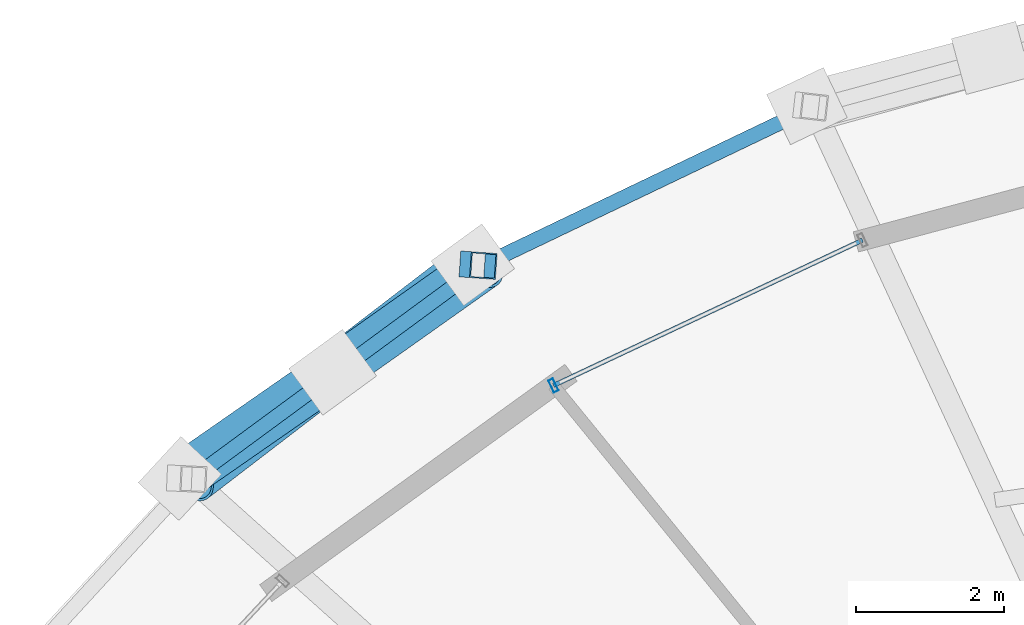
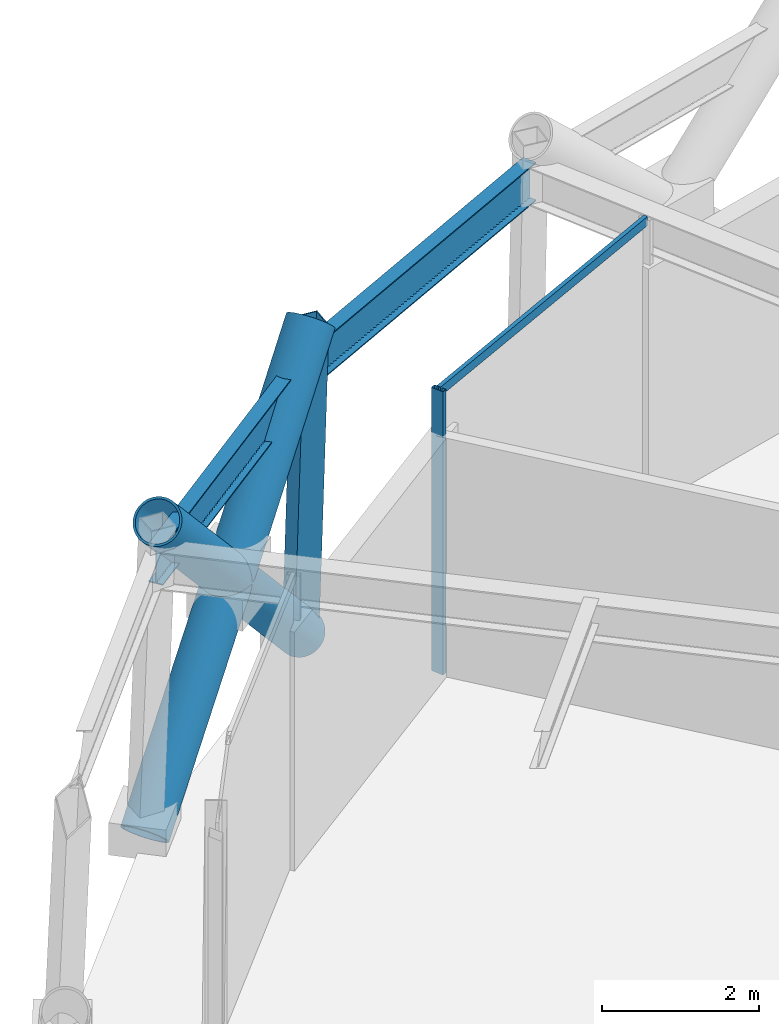
# One storey, part 17 of 29: 6 members, 2 beams, 1 element without a shape of its own.
"""IFC4 building model written with IfcOpenShell, lengths in metres."""

from ifc_helpers import new_model, si_unit, direction, frame, origin, origin_2d, place, context, subcontext, project, spatial, hollow_rectangle, hollow_circle, i_section, extrude, material, layer, layer_set, material_profile, profile_set, type_object, element, aggregate, save


model = new_model("IFC4")

# Units and contexts
model_context = context("Model", 3, precision=1e-05, world=origin(), true_north=direction((0.0, 1.0)))
body_context = subcontext(model_context, "Body", "Model", "MODEL_VIEW")
ifc_project = project(units=[si_unit("LENGTHUNIT", "METRE"), si_unit("AREAUNIT", "SQUARE_METRE"), si_unit("VOLUMEUNIT", "CUBIC_METRE"), si_unit("PLANEANGLEUNIT", "RADIAN"), si_unit("MASSUNIT", "GRAM", prefix="KILO")], contexts=[model_context])

# Site, building, storey
site_placement = place(None, origin())
site = spatial("IfcSite", under=ifc_project, at=site_placement, CompositionType="ELEMENT")
building_placement = place(site_placement, origin())
building = spatial("IfcBuilding", under=site, at=building_placement, Name="Veldorina Hangang Commons", CompositionType="ELEMENT")
storey_placement = place(building_placement, frame((0.0, 0.0, 203.60009765625)))
storey = spatial("IfcBuildingStorey", under=building, at=storey_placement, Name="L53", CompositionType="ELEMENT", Elevation=203.60009765625)

# Beams
ifc_material_1 = material(Name="Steel SM420-TMC", Category="steel")
ifc_material_profile_1 = material_profile(ifc_material_1, i_section(OverallWidth=0.199951171875, OverallDepth=0.60009765625, WebThickness=0.010986328125, FlangeThickness=0.01708984375, FilletRadius=0.01806640625, at=origin_2d()), Name="H-600x200x11x17")
ifc_profile_set_1 = profile_set([ifc_material_profile_1], Name="Steel SM420-TMC")
beam_type = type_object("IfcBeamType", Name="BM-RB600", PredefinedType="BEAM", material=ifc_profile_set_1)
beam_1_placement = place(storey_placement, frame((22.094482421875, 45.427001953125, 4.139892578125), z_axis=(-0.901914275, -0.431915084885, 0.0), x_axis=(0.431915084885, -0.901914275, 0.0)))
element("IfcBeam", 1, at=beam_1_placement, inside=storey, type_object=beam_type, Name="L53 perimeter hoop ring beam 10", PredefinedType="BEAM", context=body_context, shape_type="SweptSolid", body=[
    extrude(i_section(OverallWidth=0.199951171875, OverallDepth=0.60009765625, WebThickness=0.010986328125, FlangeThickness=0.01708984375, FilletRadius=0.01806640625, at=origin_2d()), origin(), (0.0, 0.0, 1.0), 4.961669921875),
])
beam_2_placement = place(storey_placement, frame((17.619384765625, 43.283935546875, 4.139892578125), z_axis=(-0.805632711099, -0.592415339781, 0.0), x_axis=(0.592415339781, -0.805632711099, 0.0)))
element("IfcBeam", 2, at=beam_2_placement, inside=storey, type_object=beam_type, Name="L53 perimeter hoop ring beam 11", PredefinedType="BEAM", context=body_context, shape_type="SweptSolid", body=[
    extrude(i_section(OverallWidth=0.199951171875, OverallDepth=0.60009765625, WebThickness=0.010986328125, FlangeThickness=0.01708984375, FilletRadius=0.01806640625, at=origin_2d()), origin(), (0.0, 0.0, 1.0), 4.86865234375),
])

# Curtain wall, members
ifc_material_2 = material(Name="Glass Acoustic Laminated", Category="glass")
ifc_layer = layer(ifc_material_2, 0.179931640625)
ifc_layer_set = layer_set([ifc_layer], Name="Glass Acoustic Laminated")
curtain_wall_type = type_object("IfcCurtainWallType", Name="CW-SYS-SKY", PredefinedType="NOTDEFINED", material=ifc_layer_set)
curtain_wall_placement = place(storey_placement, origin())
curtain_wall = element("IfcCurtainWall", 3, at=curtain_wall_placement, inside=storey, type_object=curtain_wall_type, Name="L53 unitised curtain wall CW-L53-R4", PredefinedType="NOTDEFINED")
ifc_material_3 = material(Name="Aluminium Anodized AA6063-T6", Category="aluminium")
ifc_material_profile_2 = material_profile(ifc_material_3, hollow_rectangle(XDim=0.070068359375, YDim=0.179931640625, WallThickness=0.00390625, at=origin_2d()), Name="ALU-RHS-180x70x4")
ifc_profile_set_2 = profile_set([ifc_material_profile_2], Name="Aluminium Anodized AA6063-T6")
member_type_1 = type_object("IfcMemberType", Name="CW-MUL-180", PredefinedType="MULLION", material=ifc_profile_set_2)
member_1_placement = place(storey_placement, frame((18.585205078125, 41.662841796875, 0.0), z_axis=(0.0, 0.0, 1.0), x_axis=(0.904938490215, 0.425542393808, 0.0)))
member_1 = element("IfcMember", 4, at=member_1_placement, type_object=member_type_1, Name="CW-L53-R4 vertical mullion 2", PredefinedType="MULLION", context=body_context, shape_type="SweptSolid", body=[
    extrude(hollow_rectangle(XDim=0.070068359375, YDim=0.179931640625, WallThickness=0.00390625, at=origin_2d()), origin(), (0.0, 0.0, 1.0), 4.39990234375),
])
ifc_material_profile_3 = material_profile(ifc_material_3, hollow_rectangle(XDim=0.06005859375, YDim=0.139892578125, WallThickness=0.00341796875, at=origin_2d()), Name="ALU-RHS-140x60x3.5")
ifc_profile_set_3 = profile_set([ifc_material_profile_3], Name="Aluminium Anodized AA6063-T6")
member_type_2 = type_object("IfcMemberType", Name="CW-TRN-140", PredefinedType="USERDEFINED", material=ifc_profile_set_3)
member_2_placement = place(storey_placement, frame((22.759765625, 43.6259765625, 4.35986328125), z_axis=(-0.904932611956, -0.425554894013, 0.0), x_axis=(0.425554894013, -0.904932611956, 0.0)))
member_2 = element("IfcMember", 5, at=member_2_placement, type_object=member_type_2, Name="CW-L53-R4 facet 1 transom 1", ObjectType="TRANSOM", PredefinedType="USERDEFINED", context=body_context, shape_type="SweptSolid", body=[
    extrude(hollow_rectangle(XDim=0.06005859375, YDim=0.139892578125, WallThickness=0.00341796875, at=origin_2d()), origin(), (0.0, 0.0, 1.0), 4.613037109375),
])
aggregate(curtain_wall, [member_1, member_2])

# Members
ifc_material_4 = material(Name="Steel SM460-TMC", Category="steel")
ifc_material_profile_4 = material_profile(ifc_material_4, hollow_circle(Radius=0.324951171875, WallThickness=0.031982421875, at=origin_2d()), Name="CHS-650x32")
ifc_profile_set_4 = profile_set([ifc_material_profile_4], Name="Steel SM460-TMC")
member_type_3 = type_object("IfcMemberType", Name="DG-CHS650", PredefinedType="BRACE", material=ifc_profile_set_4)
member_3_placement = place(storey_placement, frame((17.49609375, 43.29248046875, 0.0), z_axis=(-0.558551416966, -0.428298628418, 0.710338369723), x_axis=(0.608499434404, -0.793554307108, 0.0)))
element("IfcMember", 6, at=member_3_placement, inside=storey, type_object=member_type_3, Name="L53 continuous perimeter diagrid brace 11", PredefinedType="BRACE", context=body_context, shape_type="SweptSolid", body=[
    extrude(hollow_circle(Radius=0.324951171875, WallThickness=0.031982421875, at=origin_2d()), origin(), (0.0, 0.0, 1.0), 6.757080078125),
])
member_4_placement = place(storey_placement, frame((13.540283203125, 40.406982421875, 0.0), z_axis=(0.592758366772, 0.41208213637, 0.691972421059), x_axis=(-0.570811017847, 0.82108147093, 0.0)))
element("IfcMember", 7, at=member_4_placement, inside=storey, type_object=member_type_3, Name="L53 split perimeter diagrid lower brace 12", PredefinedType="BRACE", context=body_context, shape_type="SweptSolid", body=[
    extrude(hollow_circle(Radius=0.324951171875, WallThickness=0.031982421875, at=origin_2d()), origin(), (0.0, 0.0, 1.0), 3.4794921875),
])
member_5_placement = place(storey_placement, frame((15.602783203125, 41.8408203125, 2.40771484375), z_axis=(0.589100836897, 0.417103170489, 0.692087529966), x_axis=(-0.57785442032, 0.816139858674, 0.0)))
element("IfcMember", 8, at=member_5_placement, inside=storey, type_object=member_type_3, Name="L53 split perimeter diagrid upper brace 12", PredefinedType="BRACE", context=body_context, shape_type="SweptSolid", body=[
    extrude(hollow_circle(Radius=0.324951171875, WallThickness=0.031982421875, at=origin_2d()), origin(), (0.0, 0.0, 1.0), 3.456298828125),
])
ifc_material_5 = material(Name="Steel SM355-TMC", Category="steel")
ifc_material_profile_5 = material_profile(ifc_material_5, hollow_rectangle(XDim=0.35009765625, YDim=0.35009765625, WallThickness=0.01611328125, at=origin_2d()), Name="SHS-350x350x16")
ifc_profile_set_5 = profile_set([ifc_material_profile_5], Name="Steel SM355-TMC")
member_type_4 = type_object("IfcMemberType", Name="STR-SHS350", PredefinedType="STRUT", material=ifc_profile_set_5)
member_6_placement = place(storey_placement, frame((17.49609375, 43.29248046875, 0.0), z_axis=(0.02974262049, -0.002084525539, 0.999555416813), x_axis=(0.069913972648, 0.997553024369, 0.0)))
element("IfcMember", 9, at=member_6_placement, inside=storey, type_object=member_type_4, Name="L53 perimeter ring node post 11", PredefinedType="STRUT", context=body_context, shape_type="SweptSolid", body=[
    extrude(hollow_rectangle(XDim=0.35009765625, YDim=0.35009765625, WallThickness=0.01611328125, at=origin_2d()), origin(), (0.0, 0.0, 1.0), 4.802001953125),
])

save(model, "model.ifc")
